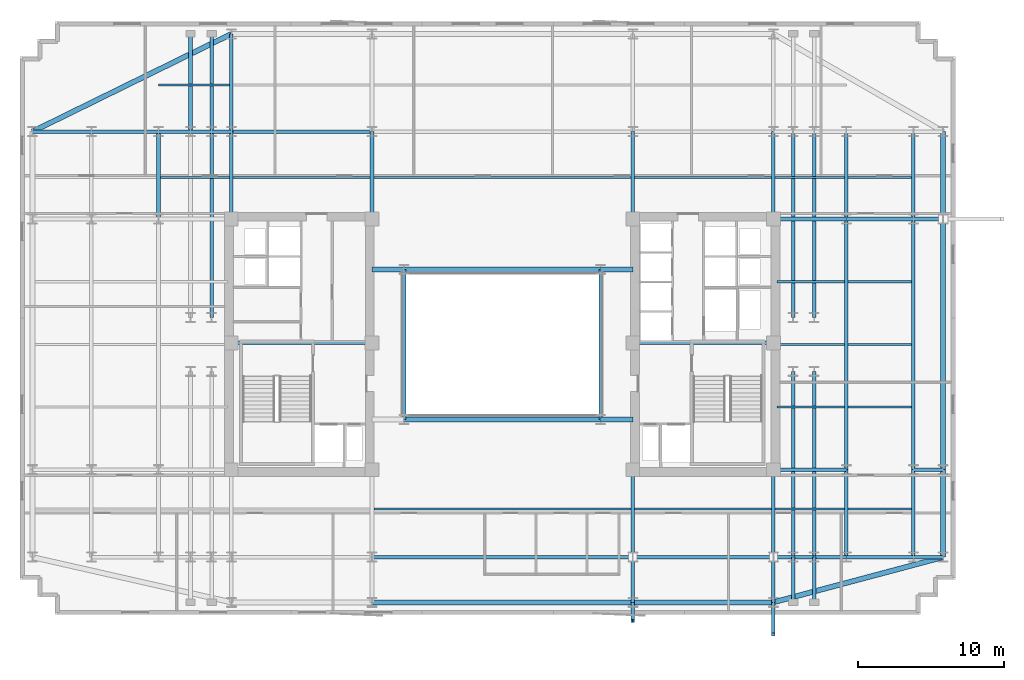
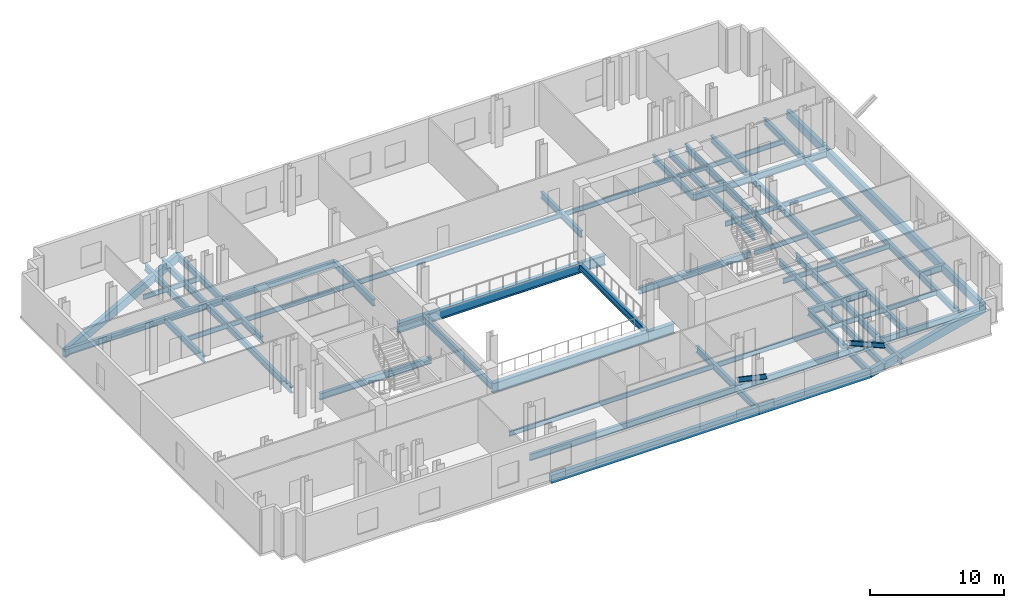
# One storey, part 2 of 9: 72 beams, 2 members.
"""IFC4 building model written with IfcOpenShell, lengths in metres."""

from ifc_helpers import new_model, si_unit, direction, frame, origin, origin_2d, place, context, subcontext, project, spatial, rectangle, i_section, extrude, material, material_profile, profile_set, type_object, element, save


model = new_model("IFC4")

# Units and contexts
model_context = context("Model", 3, precision=1e-05, world=origin(), true_north=direction((0.0, 1.0)))
body_context = subcontext(model_context, "Body", "Model", "MODEL_VIEW")
ifc_project = project(units=[si_unit("LENGTHUNIT", "METRE"), si_unit("AREAUNIT", "SQUARE_METRE"), si_unit("VOLUMEUNIT", "CUBIC_METRE"), si_unit("PLANEANGLEUNIT", "RADIAN"), si_unit("MASSUNIT", "GRAM", prefix="KILO")], contexts=[model_context])

# Site, building, storey
site_placement = place(None, origin())
site = spatial("IfcSite", under=ifc_project, at=site_placement, CompositionType="ELEMENT")
building_placement = place(site_placement, origin())
building = spatial("IfcBuilding", under=site, at=building_placement, Name="Velakula Bourse", CompositionType="ELEMENT")
storey_placement = place(building_placement, frame((0.0, 0.0, 151.89990234375)))
storey = spatial("IfcBuildingStorey", under=building, at=storey_placement, Name="L41", CompositionType="ELEMENT", Elevation=151.89990234375)

# Beams
ifc_material_1 = material(Name="Steel IS 2062 Grade 350 (E350)", Category="steel")
ifc_material_profile_1 = material_profile(ifc_material_1, i_section(OverallWidth=0.25, OverallDepth=0.60009765625, WebThickness=0.01123046875, FlangeThickness=0.021240234375, at=origin_2d()), Name="Steel IS 2062 Grade 350 (E350)")
ifc_profile_set_1 = profile_set([ifc_material_profile_1], Name="Steel IS 2062 Grade 350 (E350)")
beam_type_1 = type_object("IfcBeamType", Name="BM-GRD-600M", PredefinedType="BEAM", material=ifc_profile_set_1)
for number, where, z_axis, x_axis, name in (
    (1, (-18.60009765625, 0.10009765625, -0.47998046875), (1.0, 0.0, 0.0), (0.0, 1.0, 0.0), "L41 Primary Backbone Girder CRW-M"),
    (2, (8.949951171875, 0.10009765625, -0.47998046875), (1.0, 0.0, 0.0), (0.0, 1.0, 0.0), "L41 Primary Backbone Girder CRE-M"),
):
    element("IfcBeam", number, at=place(storey_placement, frame(where, z_axis=z_axis, x_axis=x_axis)), inside=storey, type_object=beam_type_1, Name=name, PredefinedType="BEAM", context=body_context, shape_type="SweptSolid", body=[
        extrude(i_section(OverallWidth=0.25, OverallDepth=0.60009765625, WebThickness=0.01123046875, FlangeThickness=0.021240234375, at=origin_2d()), origin(), (0.0, 0.0, 1.0), 9.650146484375),
    ])
for number, where, z_axis, x_axis, name in (
    (3, (-6.75, -5.14990234375, -0.47998046875), (0.0, 1.0, 0.0), (-1.0, 0.0, 0.0), "L41 Primary Backbone Girder SPN-W"),
    (4, (6.75, -5.14990234375, -0.47998046875), (0.0, 1.0, 0.0), (-1.0, 0.0, 0.0), "L41 Primary Backbone Girder SPN-E"),
):
    element("IfcBeam", number, at=place(storey_placement, frame(where, z_axis=z_axis, x_axis=x_axis)), inside=storey, type_object=beam_type_1, Name=name, PredefinedType="BEAM", context=body_context, shape_type="SweptSolid", body=[
        extrude(i_section(OverallWidth=0.25, OverallDepth=0.60009765625, WebThickness=0.01123046875, FlangeThickness=0.021240234375, at=origin_2d()), origin(), (0.0, 0.0, 1.0), 10.2998046875),
    ])
for number, where, z_axis, x_axis, name in (
    (5, (-18.60009765625, 8.60009765625, -0.47998046875), (0.0, 1.0, 0.0), (-1.0, 0.0, 0.0), "L41 Fulcrum Grid Girder FLC-WN"),
    (6, (-8.949951171875, 8.60009765625, -0.47998046875), (0.0, 1.0, 0.0), (-1.0, 0.0, 0.0), "L41 Fulcrum Grid Girder FLC-WCN"),
    (7, (8.949951171875, -14.60009765625, -0.47998046875), (0.0, 1.0, 0.0), (-1.0, 0.0, 0.0), "L41 Fulcrum Grid Girder FLC-ECS"),
    (8, (8.949951171875, 8.60009765625, -0.47998046875), (0.0, 1.0, 0.0), (-1.0, 0.0, 0.0), "L41 Fulcrum Grid Girder FLC-ECN"),
    (9, (18.60009765625, -14.60009765625, -0.47998046875), (0.0, 1.0, 0.0), (-1.0, 0.0, 0.0), "L41 Fulcrum Grid Girder FLC-ES"),
    (10, (18.60009765625, 8.60009765625, -0.47998046875), (0.0, 1.0, 0.0), (-1.0, 0.0, 0.0), "L41 Fulcrum Grid Girder FLC-EN"),
):
    element("IfcBeam", number, at=place(storey_placement, frame(where, z_axis=z_axis, x_axis=x_axis)), inside=storey, type_object=beam_type_1, Name=name, PredefinedType="BEAM", context=body_context, shape_type="SweptSolid", body=[
        extrude(i_section(OverallWidth=0.25, OverallDepth=0.60009765625, WebThickness=0.01123046875, FlangeThickness=0.021240234375, at=origin_2d()), origin(), (0.0, 0.0, 1.0), 6.0),
    ])
beam_1_placement = place(storey_placement, frame((-8.949951171875, -14.60009765625, -0.47998046875), z_axis=(1.0, 0.0, 0.0), x_axis=(0.0, 1.0, 0.0)))
element("IfcBeam", 11, at=beam_1_placement, inside=storey, type_object=beam_type_1, Name="L41 Fulcrum Grid Girder FLC-S2", PredefinedType="BEAM", context=body_context, shape_type="SweptSolid", body=[
    extrude(i_section(OverallWidth=0.25, OverallDepth=0.60009765625, WebThickness=0.01123046875, FlangeThickness=0.021240234375, at=origin_2d()), origin(), (0.0, 0.0, 1.0), 17.89990234375),
])
for number, where, z_axis, x_axis, name in (
    (12, (8.949951171875, -14.60009765625, -0.47998046875), (1.0, 0.0, 0.0), (0.0, 1.0, 0.0), "L41 Fulcrum Grid Girder FLC-S3"),
    (13, (-18.60009765625, 14.60009765625, -0.47998046875), (1.0, 0.0, 0.0), (0.0, 1.0, 0.0), "L41 Fulcrum Grid Girder FLC-N1"),
):
    element("IfcBeam", number, at=place(storey_placement, frame(where, z_axis=z_axis, x_axis=x_axis)), inside=storey, type_object=beam_type_1, Name=name, PredefinedType="BEAM", context=body_context, shape_type="SweptSolid", body=[
        extrude(i_section(OverallWidth=0.25, OverallDepth=0.60009765625, WebThickness=0.01123046875, FlangeThickness=0.021240234375, at=origin_2d()), origin(), (0.0, 0.0, 1.0), 9.650146484375),
    ])
for number, where, z_axis, x_axis, name in (
    (14, (-19.949951171875, 1.85009765625, -0.47998046875), (0.0, 1.0, 0.0), (-1.0, 0.0, 0.0), "L41 Fulcrum Grid Girder FLC-PNW2"),
    (15, (19.949951171875, -14.60009765625, -0.47998046875), (0.0, 1.0, 0.0), (-1.0, 0.0, 0.0), "L41 Fulcrum Grid Girder FLC-PSE1"),
    (16, (19.949951171875, 1.85009765625, -0.47998046875), (0.0, 1.0, 0.0), (-1.0, 0.0, 0.0), "L41 Fulcrum Grid Girder FLC-PNE1"),
    (17, (21.39990234375, -14.60009765625, -0.47998046875), (0.0, 1.0, 0.0), (-1.0, 0.0, 0.0), "L41 Fulcrum Grid Girder FLC-PSE2"),
    (18, (21.39990234375, 1.85009765625, -0.47998046875), (0.0, 1.0, 0.0), (-1.0, 0.0, 0.0), "L41 Fulcrum Grid Girder FLC-PNE2"),
):
    element("IfcBeam", number, at=place(storey_placement, frame(where, z_axis=z_axis, x_axis=x_axis)), inside=storey, type_object=beam_type_1, Name=name, PredefinedType="BEAM", context=body_context, shape_type="SweptSolid", body=[
        extrude(i_section(OverallWidth=0.25, OverallDepth=0.60009765625, WebThickness=0.01123046875, FlangeThickness=0.021240234375, at=origin_2d()), origin(), (0.0, 0.0, 1.0), 12.75),
    ])
beam_2_placement = place(storey_placement, frame((-23.60009765625, 14.60009765625, -0.47998046875), z_axis=(1.0, 0.0, 0.0), x_axis=(0.0, 1.0, 0.0)))
element("IfcBeam", 19, at=beam_2_placement, inside=storey, type_object=beam_type_1, Name="L41 Fulcrum Grid Girder MWG-WN2", PredefinedType="BEAM", context=body_context, shape_type="SweptSolid", body=[
    extrude(i_section(OverallWidth=0.25, OverallDepth=0.60009765625, WebThickness=0.01123046875, FlangeThickness=0.021240234375, at=origin_2d()), origin(), (0.0, 0.0, 1.0), 5.0),
])
beam_3_placement = place(storey_placement, frame((-23.60009765625, 8.60009765625, -0.47998046875), z_axis=(0.0, 1.0, 0.0), x_axis=(-1.0, 0.0, 0.0)))
element("IfcBeam", 20, at=beam_3_placement, inside=storey, type_object=beam_type_1, Name="L41 Fulcrum Grid Girder MWG-WNS3", PredefinedType="BEAM", context=body_context, shape_type="SweptSolid", body=[
    extrude(i_section(OverallWidth=0.25, OverallDepth=0.60009765625, WebThickness=0.01123046875, FlangeThickness=0.021240234375, at=origin_2d()), origin(), (0.0, 0.0, 1.0), 6.0),
])
for number, where, z_axis, x_axis, name in (
    (21, (18.60009765625, -14.60009765625, -0.47998046875), (1.0, 0.0, 0.0), (0.0, 1.0, 0.0), "L41 Fulcrum Grid Girder MWG-ES1"),
    (22, (18.60009765625, -8.60009765625, -0.47998046875), (1.0, 0.0, 0.0), (0.0, 1.0, 0.0), "L41 Fulcrum Grid Girder MWG-ES2"),
    (23, (18.60009765625, 8.60009765625, -0.47998046875), (1.0, 0.0, 0.0), (0.0, 1.0, 0.0), "L41 Fulcrum Grid Girder MWG-EN1"),
):
    element("IfcBeam", number, at=place(storey_placement, frame(where, z_axis=z_axis, x_axis=x_axis)), inside=storey, type_object=beam_type_1, Name=name, PredefinedType="BEAM", context=body_context, shape_type="SweptSolid", body=[
        extrude(i_section(OverallWidth=0.25, OverallDepth=0.60009765625, WebThickness=0.01123046875, FlangeThickness=0.021240234375, at=origin_2d()), origin(), (0.0, 0.0, 1.0), 5.0),
    ])
beam_4_placement = place(storey_placement, frame((23.60009765625, -14.60009765625, -0.47998046875), z_axis=(0.0, 1.0, 0.0), x_axis=(-1.0, 0.0, 0.0)))
element("IfcBeam", 24, at=beam_4_placement, inside=storey, type_object=beam_type_1, Name="L41 Fulcrum Grid Girder MWG-ENS1", PredefinedType="BEAM", context=body_context, shape_type="SweptSolid", body=[
    extrude(i_section(OverallWidth=0.25, OverallDepth=0.60009765625, WebThickness=0.01123046875, FlangeThickness=0.021240234375, at=origin_2d()), origin(), (0.0, 0.0, 1.0), 6.0),
])
beam_5_placement = place(storey_placement, frame((23.60009765625, -8.60009765625, -0.47998046875), z_axis=(0.0, 1.0, 0.0), x_axis=(-1.0, 0.0, 0.0)))
element("IfcBeam", 25, at=beam_5_placement, inside=storey, type_object=beam_type_1, Name="L41 Fulcrum Grid Girder MWG-ENS2", PredefinedType="BEAM", context=body_context, shape_type="SweptSolid", body=[
    extrude(i_section(OverallWidth=0.25, OverallDepth=0.60009765625, WebThickness=0.01123046875, FlangeThickness=0.021240234375, at=origin_2d()), origin(), (0.0, 0.0, 1.0), 17.2001953125),
])
beam_6_placement = place(storey_placement, frame((23.60009765625, 8.60009765625, -0.47998046875), z_axis=(0.0, 1.0, 0.0), x_axis=(-1.0, 0.0, 0.0)))
element("IfcBeam", 26, at=beam_6_placement, inside=storey, type_object=beam_type_1, Name="L41 Fulcrum Grid Girder MWG-ENS3", PredefinedType="BEAM", context=body_context, shape_type="SweptSolid", body=[
    extrude(i_section(OverallWidth=0.25, OverallDepth=0.60009765625, WebThickness=0.01123046875, FlangeThickness=0.021240234375, at=origin_2d()), origin(), (0.0, 0.0, 1.0), 6.0),
])
for number, where, z_axis, x_axis, name in (
    (27, (-28.199951171875, 14.60009765625, -0.47998046875), (1.0, 0.0, 0.0), (0.0, 1.0, 0.0), "L41 Fulcrum Grid Girder WNG-WN2"),
    (28, (23.60009765625, -14.60009765625, -0.47998046875), (1.0, 0.0, 0.0), (0.0, 1.0, 0.0), "L41 Fulcrum Grid Girder WNG-ES1"),
    (29, (23.60009765625, 8.60009765625, -0.47998046875), (1.0, 0.0, 0.0), (0.0, 1.0, 0.0), "L41 Fulcrum Grid Girder WNG-EN1"),
):
    element("IfcBeam", number, at=place(storey_placement, frame(where, z_axis=z_axis, x_axis=x_axis)), inside=storey, type_object=beam_type_1, Name=name, PredefinedType="BEAM", context=body_context, shape_type="SweptSolid", body=[
        extrude(i_section(OverallWidth=0.25, OverallDepth=0.60009765625, WebThickness=0.01123046875, FlangeThickness=0.021240234375, at=origin_2d()), origin(), (0.0, 0.0, 1.0), 4.599853515625),
    ])
beam_7_placement = place(storey_placement, frame((28.199951171875, -14.60009765625, -0.47998046875), z_axis=(0.0, 1.0, 0.0), x_axis=(-1.0, 0.0, 0.0)))
element("IfcBeam", 30, at=beam_7_placement, inside=storey, type_object=beam_type_1, Name="L41 Fulcrum Grid Girder WNG-ENS1", PredefinedType="BEAM", context=body_context, shape_type="SweptSolid", body=[
    extrude(i_section(OverallWidth=0.25, OverallDepth=0.60009765625, WebThickness=0.01123046875, FlangeThickness=0.021240234375, at=origin_2d()), origin(), (0.0, 0.0, 1.0), 6.0),
])
beam_8_placement = place(storey_placement, frame((28.199951171875, -8.60009765625, -0.47998046875), z_axis=(0.0, 1.0, 0.0), x_axis=(-1.0, 0.0, 0.0)))
element("IfcBeam", 31, at=beam_8_placement, inside=storey, type_object=beam_type_1, Name="L41 Fulcrum Grid Girder WNG-ENS2", PredefinedType="BEAM", context=body_context, shape_type="SweptSolid", body=[
    extrude(i_section(OverallWidth=0.25, OverallDepth=0.60009765625, WebThickness=0.01123046875, FlangeThickness=0.021240234375, at=origin_2d()), origin(), (0.0, 0.0, 1.0), 17.2001953125),
])
beam_9_placement = place(storey_placement, frame((28.199951171875, 8.60009765625, -0.47998046875), z_axis=(0.0, 1.0, 0.0), x_axis=(-1.0, 0.0, 0.0)))
element("IfcBeam", 32, at=beam_9_placement, inside=storey, type_object=beam_type_1, Name="L41 Fulcrum Grid Girder WNG-ENS3", PredefinedType="BEAM", context=body_context, shape_type="SweptSolid", body=[
    extrude(i_section(OverallWidth=0.25, OverallDepth=0.60009765625, WebThickness=0.01123046875, FlangeThickness=0.021240234375, at=origin_2d()), origin(), (0.0, 0.0, 1.0), 6.0),
])
for number, where, z_axis, x_axis, name in (
    (33, (8.949951171875, -14.60009765625, -0.47998046875), (0.0, -1.0, 0.0), (1.0, 0.0, 0.0), "L41 Perimeter Tie Girder S3"),
    (34, (18.60009765625, -14.60009765625, -0.47998046875), (0.0, -1.0, 0.0), (1.0, 0.0, 0.0), "L41 Perimeter Tie Girder S4"),
):
    element("IfcBeam", number, at=place(storey_placement, frame(where, z_axis=z_axis, x_axis=x_axis)), inside=storey, type_object=beam_type_1, Name=name, PredefinedType="BEAM", context=body_context, shape_type="SweptSolid", body=[
        extrude(i_section(OverallWidth=0.25, OverallDepth=0.60009765625, WebThickness=0.01123046875, FlangeThickness=0.021240234375, at=origin_2d()), origin(), (0.0, 0.0, 1.0), 3.099853515625),
    ])
beam_10_placement = place(storey_placement, frame((-18.60009765625, 14.60009765625, -0.47998046875), z_axis=(0.0, 1.0, 0.0), x_axis=(-1.0, 0.0, 0.0)))
element("IfcBeam", 35, at=beam_10_placement, inside=storey, type_object=beam_type_1, Name="L41 Perimeter Tie Girder N1", PredefinedType="BEAM", context=body_context, shape_type="SweptSolid", body=[
    extrude(i_section(OverallWidth=0.25, OverallDepth=0.60009765625, WebThickness=0.01123046875, FlangeThickness=0.021240234375, at=origin_2d()), origin(), (0.0, 0.0, 1.0), 6.699951171875),
])
beam_11_placement = place(storey_placement, frame((-28.199951171875, 14.60009765625, -0.47998046875), z_axis=(-1.0, 0.0, 0.0), x_axis=(0.0, -1.0, 0.0)))
element("IfcBeam", 36, at=beam_11_placement, inside=storey, type_object=beam_type_1, Name="L41 Perimeter Tie Girder W4", PredefinedType="BEAM", context=body_context, shape_type="SweptSolid", body=[
    extrude(i_section(OverallWidth=0.25, OverallDepth=0.60009765625, WebThickness=0.01123046875, FlangeThickness=0.021240234375, at=origin_2d()), origin(), (0.0, 0.0, 1.0), 4.050048828125),
])
for number, where, z_axis, x_axis, name in (
    (37, (28.199951171875, -14.60009765625, -0.47998046875), (1.0, 0.0, 0.0), (0.0, 1.0, 0.0), "L41 Perimeter Tie Girder E1"),
    (38, (28.199951171875, -8.60009765625, -0.47998046875), (1.0, 0.0, 0.0), (0.0, 1.0, 0.0), "L41 Perimeter Tie Girder E2"),
    (39, (28.199951171875, 8.60009765625, -0.47998046875), (1.0, 0.0, 0.0), (0.0, 1.0, 0.0), "L41 Perimeter Tie Girder E3"),
):
    element("IfcBeam", number, at=place(storey_placement, frame(where, z_axis=z_axis, x_axis=x_axis)), inside=storey, type_object=beam_type_1, Name=name, PredefinedType="BEAM", context=body_context, shape_type="SweptSolid", body=[
        extrude(i_section(OverallWidth=0.25, OverallDepth=0.60009765625, WebThickness=0.01123046875, FlangeThickness=0.021240234375, at=origin_2d()), origin(), (0.0, 0.0, 1.0), 2.050048828125),
    ])
for number, where, z_axis, x_axis, name in (
    (40, (19.949951171875, -14.60009765625, -0.47998046875), (0.0, -1.0, 0.0), (1.0, 0.0, 0.0), "L41 Perimeter Tie Girder P03"),
    (41, (21.39990234375, -14.60009765625, -0.47998046875), (0.0, -1.0, 0.0), (1.0, 0.0, 0.0), "L41 Perimeter Tie Girder P04"),
):
    element("IfcBeam", number, at=place(storey_placement, frame(where, z_axis=z_axis, x_axis=x_axis)), inside=storey, type_object=beam_type_1, Name=name, PredefinedType="BEAM", context=body_context, shape_type="SweptSolid", body=[
        extrude(i_section(OverallWidth=0.25, OverallDepth=0.60009765625, WebThickness=0.01123046875, FlangeThickness=0.021240234375, at=origin_2d()), origin(), (0.0, 0.0, 1.0), 3.099853515625),
    ])
for number, where, z_axis, x_axis, name in (
    (42, (-21.39990234375, 14.60009765625, -0.47998046875), (0.0, 1.0, 0.0), (-1.0, 0.0, 0.0), "L41 Perimeter Tie Girder P05"),
    (43, (-19.949951171875, 14.60009765625, -0.47998046875), (0.0, 1.0, 0.0), (-1.0, 0.0, 0.0), "L41 Perimeter Tie Girder P06"),
):
    element("IfcBeam", number, at=place(storey_placement, frame(where, z_axis=z_axis, x_axis=x_axis)), inside=storey, type_object=beam_type_1, Name=name, PredefinedType="BEAM", context=body_context, shape_type="SweptSolid", body=[
        extrude(i_section(OverallWidth=0.25, OverallDepth=0.60009765625, WebThickness=0.01123046875, FlangeThickness=0.021240234375, at=origin_2d()), origin(), (0.0, 0.0, 1.0), 6.699951171875),
    ])
ifc_material_profile_2 = material_profile(ifc_material_1, i_section(OverallWidth=0.35009765625, OverallDepth=0.89990234375, WebThickness=0.02001953125, FlangeThickness=0.031982421875, at=origin_2d()), Name="Steel IS 2062 Grade 350 (E350)")
ifc_profile_set_2 = profile_set([ifc_material_profile_2], Name="Steel IS 2062 Grade 350 (E350)")
beam_type_2 = type_object("IfcBeamType", Name="BM-LNK-900", PredefinedType="BEAM", material=ifc_profile_set_2)
beam_12_placement = place(storey_placement, frame((-6.75, -5.14990234375, -0.6298828125), z_axis=(1.0, 0.0, 0.0), x_axis=(0.0, 1.0, 0.0)))
element("IfcBeam", 44, at=beam_12_placement, inside=storey, type_object=beam_type_2, Name="L41 Primary Backbone Girder LNK-S2", PredefinedType="BEAM", context=body_context, shape_type="SweptSolid", body=[
    extrude(i_section(OverallWidth=0.35009765625, OverallDepth=0.89990234375, WebThickness=0.02001953125, FlangeThickness=0.031982421875, at=origin_2d()), origin(), (0.0, 0.0, 1.0), 13.5),
])
for number, where, z_axis, x_axis, name in (
    (45, (6.75, -5.14990234375, -0.6298828125), (1.0, 0.0, 0.0), (0.0, 1.0, 0.0), "L41 Primary Backbone Girder LNK-S3"),
    (46, (-8.949951171875, 5.14990234375, -0.6298828125), (1.0, 0.0, 0.0), (0.0, 1.0, 0.0), "L41 Primary Backbone Girder LNK-N1"),
):
    element("IfcBeam", number, at=place(storey_placement, frame(where, z_axis=z_axis, x_axis=x_axis)), inside=storey, type_object=beam_type_2, Name=name, PredefinedType="BEAM", context=body_context, shape_type="SweptSolid", body=[
        extrude(i_section(OverallWidth=0.35009765625, OverallDepth=0.89990234375, WebThickness=0.02001953125, FlangeThickness=0.031982421875, at=origin_2d()), origin(), (0.0, 0.0, 1.0), 2.199951171875),
    ])
beam_13_placement = place(storey_placement, frame((-6.75, 5.14990234375, -0.6298828125), z_axis=(1.0, 0.0, 0.0), x_axis=(0.0, 1.0, 0.0)))
element("IfcBeam", 47, at=beam_13_placement, inside=storey, type_object=beam_type_2, Name="L41 Primary Backbone Girder LNK-N2", PredefinedType="BEAM", context=body_context, shape_type="SweptSolid", body=[
    extrude(i_section(OverallWidth=0.35009765625, OverallDepth=0.89990234375, WebThickness=0.02001953125, FlangeThickness=0.031982421875, at=origin_2d()), origin(), (0.0, 0.0, 1.0), 13.5),
])
beam_14_placement = place(storey_placement, frame((6.75, 5.14990234375, -0.6298828125), z_axis=(1.0, 0.0, 0.0), x_axis=(0.0, 1.0, 0.0)))
element("IfcBeam", 48, at=beam_14_placement, inside=storey, type_object=beam_type_2, Name="L41 Primary Backbone Girder LNK-N3", PredefinedType="BEAM", context=body_context, shape_type="SweptSolid", body=[
    extrude(i_section(OverallWidth=0.35009765625, OverallDepth=0.89990234375, WebThickness=0.02001953125, FlangeThickness=0.031982421875, at=origin_2d()), origin(), (0.0, 0.0, 1.0), 2.199951171875),
])

# Members
ifc_material_profile_3 = material_profile(ifc_material_1, i_section(OverallWidth=0.25, OverallDepth=0.39990234375, WebThickness=0.010498046875, FlangeThickness=0.0126953125, at=origin_2d()), Name="Steel IS 2062 Grade 350 (E350)")
ifc_profile_set_3 = profile_set([ifc_material_profile_3], Name="Steel IS 2062 Grade 350 (E350)")
member_type = type_object("IfcMemberType", Name="BR-TRF-400", PredefinedType="BRACE", material=ifc_profile_set_3)
member_1_placement = place(storey_placement, frame((8.949951171875, -14.60009765625, 0.300048828125), z_axis=(0.0, -0.82774662305, 0.561102065608), x_axis=(1.0, 0.0, 0.0)))
element("IfcMember", 49, at=member_1_placement, inside=storey, type_object=member_type, Name="L41 Inclined Cantilever Transfer Raking Strut S3", PredefinedType="BRACE", context=body_context, shape_type="SweptSolid", body=[
    extrude(i_section(OverallWidth=0.25, OverallDepth=0.39990234375, WebThickness=0.010498046875, FlangeThickness=0.0126953125, at=origin_2d()), origin(), (0.0, 0.0, 1.0), 5.293212890625),
])
member_2_placement = place(storey_placement, frame((18.60009765625, -14.60009765625, 0.300048828125), z_axis=(0.0, -0.872781614821, 0.488110902184), x_axis=(1.0, 0.0, 0.0)))
element("IfcMember", 50, at=member_2_placement, inside=storey, type_object=member_type, Name="L41 Inclined Cantilever Transfer Raking Strut S4", PredefinedType="BRACE", context=body_context, shape_type="SweptSolid", body=[
    extrude(i_section(OverallWidth=0.25, OverallDepth=0.39990234375, WebThickness=0.010498046875, FlangeThickness=0.0126953125, at=origin_2d()), origin(), (0.0, 0.0, 1.0), 6.084716796875),
])

# Beams
ifc_material_profile_4 = material_profile(ifc_material_1, i_section(OverallWidth=0.14990234375, OverallDepth=0.449951171875, WebThickness=0.009521484375, FlangeThickness=0.017333984375, at=origin_2d()), Name="Steel IS 2062 Grade 350 (E350)")
ifc_profile_set_4 = profile_set([ifc_material_profile_4], Name="Steel IS 2062 Grade 350 (E350)")
beam_type_3 = type_object("IfcBeamType", Name="JST-TWR-450", PredefinedType="JOIST", material=ifc_profile_set_4)
beam_15_placement = place(storey_placement, frame((-8.824951171875, -11.300048828125, -0.40478515625), z_axis=(1.0, 0.0, 0.0), x_axis=(0.0, 1.0, 0.0)))
element("IfcBeam", 51, at=beam_15_placement, inside=storey, type_object=beam_type_3, Name="L41 Trading Floor Composite Joist 05", PredefinedType="JOIST", context=body_context, shape_type="SweptSolid", body=[
    extrude(i_section(OverallWidth=0.14990234375, OverallDepth=0.449951171875, WebThickness=0.009521484375, FlangeThickness=0.017333984375, at=origin_2d()), origin(), (0.0, 0.0, 1.0), 17.64990234375),
])
beam_16_placement = place(storey_placement, frame((9.074951171875, -11.300048828125, -0.40478515625), z_axis=(1.0, 0.0, 0.0), x_axis=(0.0, 1.0, 0.0)))
element("IfcBeam", 52, at=beam_16_placement, inside=storey, type_object=beam_type_3, Name="L41 Trading Floor Composite Joist 06", PredefinedType="JOIST", context=body_context, shape_type="SweptSolid", body=[
    extrude(i_section(OverallWidth=0.14990234375, OverallDepth=0.449951171875, WebThickness=0.009521484375, FlangeThickness=0.017333984375, at=origin_2d()), origin(), (0.0, 0.0, 1.0), 9.400146484375),
])
beam_17_placement = place(storey_placement, frame((18.72509765625, -11.300048828125, -0.40478515625), z_axis=(1.0, 0.0, 0.0), x_axis=(0.0, 1.0, 0.0)))
element("IfcBeam", 53, at=beam_17_placement, inside=storey, type_object=beam_type_3, Name="L41 Trading Floor Composite Joist 07", PredefinedType="JOIST", context=body_context, shape_type="SweptSolid", body=[
    extrude(i_section(OverallWidth=0.14990234375, OverallDepth=0.449951171875, WebThickness=0.009521484375, FlangeThickness=0.017333984375, at=origin_2d()), origin(), (0.0, 0.0, 1.0), 4.75),
])
beam_18_placement = place(storey_placement, frame((23.72509765625, -11.300048828125, -0.40478515625), z_axis=(1.0, 0.0, 0.0), x_axis=(0.0, 1.0, 0.0)))
element("IfcBeam", 54, at=beam_18_placement, inside=storey, type_object=beam_type_3, Name="L41 Trading Floor Composite Joist 08", PredefinedType="JOIST", context=body_context, shape_type="SweptSolid", body=[
    extrude(i_section(OverallWidth=0.14990234375, OverallDepth=0.449951171875, WebThickness=0.009521484375, FlangeThickness=0.017333984375, at=origin_2d()), origin(), (0.0, 0.0, 1.0), 4.349853515625),
])
beam_19_placement = place(storey_placement, frame((-23.47509765625, 11.449951171875, -0.40478515625), z_axis=(1.0, 0.0, 0.0), x_axis=(0.0, 1.0, 0.0)))
element("IfcBeam", 55, at=beam_19_placement, inside=storey, type_object=beam_type_3, Name="L41 Trading Floor Composite Joist 11", PredefinedType="JOIST", context=body_context, shape_type="SweptSolid", body=[
    extrude(i_section(OverallWidth=0.14990234375, OverallDepth=0.449951171875, WebThickness=0.009521484375, FlangeThickness=0.017333984375, at=origin_2d()), origin(), (0.0, 0.0, 1.0), 4.75),
])
beam_20_placement = place(storey_placement, frame((-18.47509765625, 11.449951171875, -0.40478515625), z_axis=(1.0, 0.0, 0.0), x_axis=(0.0, 1.0, 0.0)))
element("IfcBeam", 56, at=beam_20_placement, inside=storey, type_object=beam_type_3, Name="L41 Trading Floor Composite Joist 12", PredefinedType="JOIST", context=body_context, shape_type="SweptSolid", body=[
    extrude(i_section(OverallWidth=0.14990234375, OverallDepth=0.449951171875, WebThickness=0.009521484375, FlangeThickness=0.017333984375, at=origin_2d()), origin(), (0.0, 0.0, 1.0), 9.400146484375),
])
beam_21_placement = place(storey_placement, frame((-8.824951171875, 11.449951171875, -0.40478515625), z_axis=(1.0, 0.0, 0.0), x_axis=(0.0, 1.0, 0.0)))
element("IfcBeam", 57, at=beam_21_placement, inside=storey, type_object=beam_type_3, Name="L41 Trading Floor Composite Joist 13", PredefinedType="JOIST", context=body_context, shape_type="SweptSolid", body=[
    extrude(i_section(OverallWidth=0.14990234375, OverallDepth=0.449951171875, WebThickness=0.009521484375, FlangeThickness=0.017333984375, at=origin_2d()), origin(), (0.0, 0.0, 1.0), 17.64990234375),
])
beam_22_placement = place(storey_placement, frame((9.074951171875, 11.449951171875, -0.40478515625), z_axis=(1.0, 0.0, 0.0), x_axis=(0.0, 1.0, 0.0)))
element("IfcBeam", 58, at=beam_22_placement, inside=storey, type_object=beam_type_3, Name="L41 Trading Floor Composite Joist 14", PredefinedType="JOIST", context=body_context, shape_type="SweptSolid", body=[
    extrude(i_section(OverallWidth=0.14990234375, OverallDepth=0.449951171875, WebThickness=0.009521484375, FlangeThickness=0.017333984375, at=origin_2d()), origin(), (0.0, 0.0, 1.0), 9.400146484375),
])
beam_23_placement = place(storey_placement, frame((18.72509765625, 11.449951171875, -0.40478515625), z_axis=(1.0, 0.0, 0.0), x_axis=(0.0, 1.0, 0.0)))
element("IfcBeam", 59, at=beam_23_placement, inside=storey, type_object=beam_type_3, Name="L41 Trading Floor Composite Joist 15", PredefinedType="JOIST", context=body_context, shape_type="SweptSolid", body=[
    extrude(i_section(OverallWidth=0.14990234375, OverallDepth=0.449951171875, WebThickness=0.009521484375, FlangeThickness=0.017333984375, at=origin_2d()), origin(), (0.0, 0.0, 1.0), 4.75),
])
beam_24_placement = place(storey_placement, frame((23.72509765625, 11.449951171875, -0.40478515625), z_axis=(1.0, 0.0, 0.0), x_axis=(0.0, 1.0, 0.0)))
element("IfcBeam", 60, at=beam_24_placement, inside=storey, type_object=beam_type_3, Name="L41 Trading Floor Composite Joist 16", PredefinedType="JOIST", context=body_context, shape_type="SweptSolid", body=[
    extrude(i_section(OverallWidth=0.14990234375, OverallDepth=0.449951171875, WebThickness=0.009521484375, FlangeThickness=0.017333984375, at=origin_2d()), origin(), (0.0, 0.0, 1.0), 4.349853515625),
])
beam_25_placement = place(storey_placement, frame((-23.60009765625, 17.800048828125, -0.40478515625), z_axis=(1.0, 0.0, 0.0), x_axis=(0.0, 1.0, 0.0)))
element("IfcBeam", 61, at=beam_25_placement, inside=storey, type_object=beam_type_3, Name="L41 Trading Floor Composite Joist 17", PredefinedType="JOIST", context=body_context, shape_type="SweptSolid", body=[
    extrude(i_section(OverallWidth=0.14990234375, OverallDepth=0.449951171875, WebThickness=0.009521484375, FlangeThickness=0.017333984375, at=origin_2d()), origin(), (0.0, 0.0, 1.0), 4.875),
])
beam_26_placement = place(storey_placement, frame((18.85009765625, -4.300048828125, -0.40478515625), z_axis=(1.0, 0.0, 0.0), x_axis=(0.0, 1.0, 0.0)))
element("IfcBeam", 62, at=beam_26_placement, inside=storey, type_object=beam_type_3, Name="L41 Trading Floor Composite Joist 28", PredefinedType="JOIST", context=body_context, shape_type="SweptSolid", body=[
    extrude(i_section(OverallWidth=0.14990234375, OverallDepth=0.449951171875, WebThickness=0.009521484375, FlangeThickness=0.017333984375, at=origin_2d()), origin(), (0.0, 0.0, 1.0), 4.625),
])
beam_27_placement = place(storey_placement, frame((23.72509765625, -4.300048828125, -0.40478515625), z_axis=(1.0, 0.0, 0.0), x_axis=(0.0, 1.0, 0.0)))
element("IfcBeam", 63, at=beam_27_placement, inside=storey, type_object=beam_type_3, Name="L41 Trading Floor Composite Joist 29", PredefinedType="JOIST", context=body_context, shape_type="SweptSolid", body=[
    extrude(i_section(OverallWidth=0.14990234375, OverallDepth=0.449951171875, WebThickness=0.009521484375, FlangeThickness=0.017333984375, at=origin_2d()), origin(), (0.0, 0.0, 1.0), 4.349853515625),
])
beam_28_placement = place(storey_placement, frame((18.85009765625, 0.0, -0.40478515625), z_axis=(1.0, 0.0, 0.0), x_axis=(0.0, 1.0, 0.0)))
element("IfcBeam", 64, at=beam_28_placement, inside=storey, type_object=beam_type_3, Name="L41 Trading Floor Composite Joist 33", PredefinedType="JOIST", context=body_context, shape_type="SweptSolid", body=[
    extrude(i_section(OverallWidth=0.14990234375, OverallDepth=0.449951171875, WebThickness=0.009521484375, FlangeThickness=0.017333984375, at=origin_2d()), origin(), (0.0, 0.0, 1.0), 4.625),
])
beam_29_placement = place(storey_placement, frame((23.72509765625, 0.0, -0.40478515625), z_axis=(1.0, 0.0, 0.0), x_axis=(0.0, 1.0, 0.0)))
element("IfcBeam", 65, at=beam_29_placement, inside=storey, type_object=beam_type_3, Name="L41 Trading Floor Composite Joist 34", PredefinedType="JOIST", context=body_context, shape_type="SweptSolid", body=[
    extrude(i_section(OverallWidth=0.14990234375, OverallDepth=0.449951171875, WebThickness=0.009521484375, FlangeThickness=0.017333984375, at=origin_2d()), origin(), (0.0, 0.0, 1.0), 4.349853515625),
])
beam_30_placement = place(storey_placement, frame((18.85009765625, 4.300048828125, -0.40478515625), z_axis=(1.0, 0.0, 0.0), x_axis=(0.0, 1.0, 0.0)))
element("IfcBeam", 66, at=beam_30_placement, inside=storey, type_object=beam_type_3, Name="L41 Trading Floor Composite Joist 38", PredefinedType="JOIST", context=body_context, shape_type="SweptSolid", body=[
    extrude(i_section(OverallWidth=0.14990234375, OverallDepth=0.449951171875, WebThickness=0.009521484375, FlangeThickness=0.017333984375, at=origin_2d()), origin(), (0.0, 0.0, 1.0), 4.625),
])
beam_31_placement = place(storey_placement, frame((23.72509765625, 4.300048828125, -0.40478515625), z_axis=(1.0, 0.0, 0.0), x_axis=(0.0, 1.0, 0.0)))
element("IfcBeam", 67, at=beam_31_placement, inside=storey, type_object=beam_type_3, Name="L41 Trading Floor Composite Joist 39", PredefinedType="JOIST", context=body_context, shape_type="SweptSolid", body=[
    extrude(i_section(OverallWidth=0.14990234375, OverallDepth=0.449951171875, WebThickness=0.009521484375, FlangeThickness=0.017333984375, at=origin_2d()), origin(), (0.0, 0.0, 1.0), 4.349853515625),
])
ifc_material_2 = material(Name="Precast concrete M45 (fck 45 MPa)", Category="concrete")
ifc_material_profile_5 = material_profile(ifc_material_2, rectangle(XDim=0.35009765625, YDim=0.75, at=origin_2d()), Name="Precast concrete M45 (fck 45 MPa)")
ifc_profile_set_5 = profile_set([ifc_material_profile_5], Name="Precast concrete M45 (fck 45 MPa)")
beam_type_4 = type_object("IfcBeamType", Name="SPN-BRICK-750", PredefinedType="SPANDREL", material=ifc_profile_set_5)
beam_32_placement = place(storey_placement, frame((-8.949951171875, -17.699951171875, -0.554931640625), z_axis=(1.0, 0.0, 0.0), x_axis=(0.0, 1.0, 0.0)))
element("IfcBeam", 68, at=beam_32_placement, inside=storey, type_object=beam_type_4, Name="L41 Brick-Faced Precast Spandrel S2-S3", PredefinedType="SPANDREL", context=body_context, shape_type="SweptSolid", body=[
    extrude(rectangle(XDim=0.35009765625, YDim=0.75, at=origin_2d()), origin(), (0.0, 0.0, 1.0), 17.89990234375),
])
beam_33_placement = place(storey_placement, frame((8.949951171875, -17.699951171875, -0.554931640625), z_axis=(1.0, 0.0, 0.0), x_axis=(0.0, 1.0, 0.0)))
element("IfcBeam", 69, at=beam_33_placement, inside=storey, type_object=beam_type_4, Name="L41 Brick-Faced Precast Spandrel S3-S4", PredefinedType="SPANDREL", context=body_context, shape_type="SweptSolid", body=[
    extrude(rectangle(XDim=0.35009765625, YDim=0.75, at=origin_2d()), origin(), (0.0, 0.0, 1.0), 9.650146484375),
])
beam_34_placement = place(storey_placement, frame((30.25, -14.60009765625, -0.554931640625), z_axis=(0.0, 1.0, 0.0), x_axis=(-1.0, 0.0, 0.0)))
element("IfcBeam", 70, at=beam_34_placement, inside=storey, type_object=beam_type_4, Name="L41 Brick-Faced Precast Spandrel E1-E2", PredefinedType="SPANDREL", context=body_context, shape_type="SweptSolid", body=[
    extrude(rectangle(XDim=0.35009765625, YDim=0.75, at=origin_2d()), origin(), (0.0, 0.0, 1.0), 6.0),
])
beam_35_placement = place(storey_placement, frame((30.25, -8.60009765625, -0.554931640625), z_axis=(0.0, 1.0, 0.0), x_axis=(-1.0, 0.0, 0.0)))
element("IfcBeam", 71, at=beam_35_placement, inside=storey, type_object=beam_type_4, Name="L41 Brick-Faced Precast Spandrel E2-E3", PredefinedType="SPANDREL", context=body_context, shape_type="SweptSolid", body=[
    extrude(rectangle(XDim=0.35009765625, YDim=0.75, at=origin_2d()), origin(), (0.0, 0.0, 1.0), 17.2001953125),
])
beam_36_placement = place(storey_placement, frame((30.25, 8.60009765625, -0.554931640625), z_axis=(0.0, 1.0, 0.0), x_axis=(-1.0, 0.0, 0.0)))
element("IfcBeam", 72, at=beam_36_placement, inside=storey, type_object=beam_type_4, Name="L41 Brick-Faced Precast Spandrel E3-E4", PredefinedType="SPANDREL", context=body_context, shape_type="SweptSolid", body=[
    extrude(rectangle(XDim=0.35009765625, YDim=0.75, at=origin_2d()), origin(), (0.0, 0.0, 1.0), 6.0),
])
beam_37_placement = place(storey_placement, frame((18.60009765625, -17.699951171875, -0.554931640625), z_axis=(0.966374962557, 0.257136990226, 0.0), x_axis=(-0.257136990226, 0.966374962557, 0.0)))
element("IfcBeam", 73, at=beam_37_placement, inside=storey, type_object=beam_type_4, Name="L41 Brick-Faced Precast Spandrel S4-E1", PredefinedType="SPANDREL", context=body_context, shape_type="SweptSolid", body=[
    extrude(rectangle(XDim=0.35009765625, YDim=0.75, at=origin_2d()), origin(), (0.0, 0.0, 1.0), 12.05517578125),
])
beam_38_placement = place(storey_placement, frame((-18.60009765625, 21.300048828125, -0.554931640625), z_axis=(-0.897691282679, -0.440624966385, 0.0), x_axis=(0.440624966385, -0.897691282679, 0.0)))
element("IfcBeam", 74, at=beam_38_placement, inside=storey, type_object=beam_type_4, Name="L41 Brick-Faced Precast Spandrel N1-W4", PredefinedType="SPANDREL", context=body_context, shape_type="SweptSolid", body=[
    extrude(rectangle(XDim=0.35009765625, YDim=0.75, at=origin_2d()), origin(), (0.0, 0.0, 1.0), 15.20556640625),
])

save(model, "model.ifc")
